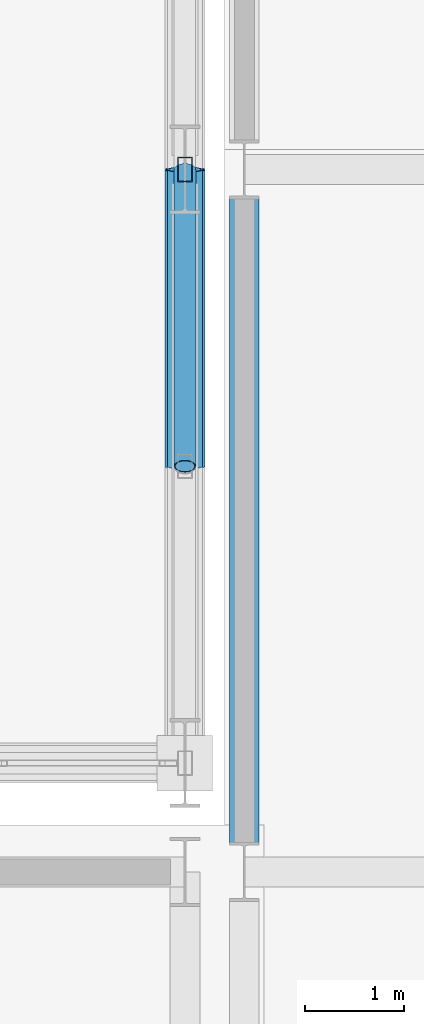
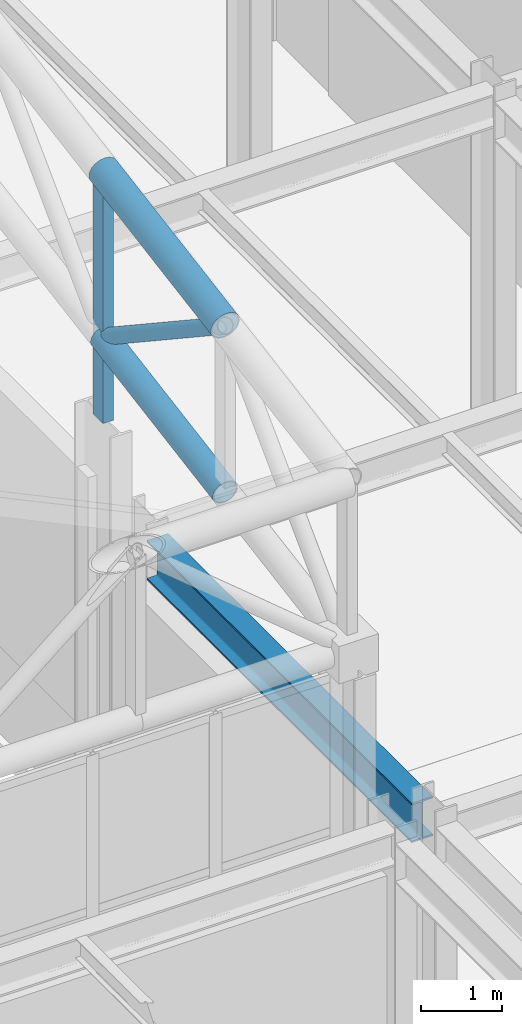
# One storey, part 72 of 239: 4 members, 1 beam.
"""IFC4 building model written with IfcOpenShell, lengths in metres."""

from ifc_helpers import new_model, si_unit, direction, frame, origin, origin_2d, place, context, subcontext, project, spatial, hollow_rectangle, hollow_circle, i_section, extrude, material, material_profile, profile_set, type_object, element, save


model = new_model("IFC4")

# Units and contexts
model_context = context("Model", 3, precision=1e-05, world=origin(), true_north=direction((0.0, 1.0)))
body_context = subcontext(model_context, "Body", "Model", "MODEL_VIEW")
ifc_project = project(units=[si_unit("LENGTHUNIT", "METRE"), si_unit("AREAUNIT", "SQUARE_METRE"), si_unit("VOLUMEUNIT", "CUBIC_METRE"), si_unit("PLANEANGLEUNIT", "RADIAN"), si_unit("MASSUNIT", "GRAM", prefix="KILO")], contexts=[model_context])

# Site, building, storey
site_placement = place(None, origin())
site = spatial("IfcSite", under=ifc_project, at=site_placement, CompositionType="ELEMENT")
building_placement = place(site_placement, origin())
building = spatial("IfcBuilding", under=site, at=building_placement, Name="Kaldris Quays Convention Centre", CompositionType="ELEMENT")
storey_placement = place(building_placement, frame((0.0, 0.0, 11.39990234375)))
storey = spatial("IfcBuildingStorey", under=building, at=storey_placement, Name="L02", CompositionType="ELEMENT", Elevation=11.39990234375)

# Beam
ifc_material_1 = material(Name="Steel S355J2", Category="steel")
ifc_material_profile_1 = material_profile(ifc_material_1, i_section(OverallWidth=0.300048828125, OverallDepth=0.590087890625, WebThickness=0.012939453125, FlangeThickness=0.02490234375, FilletRadius=0.027099609375, at=origin_2d()), Name="HEA 600")
ifc_profile_set_1 = profile_set([ifc_material_profile_1], Name="Steel S355J2")
beam_type = type_object("IfcBeamType", Name="STRUCTURAL BEAM BM08", PredefinedType="BEAM", material=ifc_profile_set_1)
beam_placement = place(storey_placement, frame((146.60009765625, 55.194091796875, 4.8681640625), z_axis=(0.0, 1.0, 0.0), x_axis=(-1.0, 0.0, 0.0)))
element("IfcBeam", 1, at=beam_placement, inside=storey, type_object=beam_type, Name="L02 Girder BM08 68", PredefinedType="BEAM", context=body_context, shape_type="SweptSolid", body=[
    extrude(i_section(OverallWidth=0.300048828125, OverallDepth=0.590087890625, WebThickness=0.012939453125, FlangeThickness=0.02490234375, FilletRadius=0.027099609375, at=origin_2d()), origin(), (0.0, 0.0, 1.0), 6.511962890625),
])

# Members
ifc_material_2 = material(Name="Steel S355J2H", Category="steel")
ifc_material_profile_2 = material_profile(ifc_material_2, hollow_circle(Radius=0.203125, WallThickness=0.01611328125, at=origin_2d()), Name="CHS 406.4x16")
ifc_profile_set_2 = profile_set([ifc_material_profile_2], Name="Steel S355J2H")
member_type_1 = type_object("IfcMemberType", Name="STRUCTURAL MEMBER SC01", PredefinedType="CHORD", material=ifc_profile_set_2)
member_1_placement = place(storey_placement, frame((146.0, 59.0, 10.186279296875), z_axis=(0.0, 0.98562912375, 0.168923741424), x_axis=(-1.0, 0.0, 0.0)))
element("IfcMember", 2, at=member_1_placement, inside=storey, type_object=member_type_1, Name="SF-V1 Top Chord Y 534", PredefinedType="CHORD", context=body_context, shape_type="SweptSolid", body=[
    extrude(hollow_circle(Radius=0.203125, WallThickness=0.01611328125, at=origin_2d()), origin(), (0.0, 0.0, 1.0), 3.043701171875),
])
ifc_material_profile_3 = material_profile(ifc_material_2, hollow_circle(Radius=0.177734375, WallThickness=0.01611328125, at=origin_2d()), Name="CHS 355.6x16")
ifc_profile_set_3 = profile_set([ifc_material_profile_3], Name="Steel S355J2H")
member_type_2 = type_object("IfcMemberType", Name="STRUCTURAL MEMBER SC02", PredefinedType="CHORD", material=ifc_profile_set_3)
member_2_placement = place(storey_placement, frame((146.0, 59.0, 7.686279296875), z_axis=(0.0, 0.98562912375, 0.168923741424), x_axis=(-1.0, 0.0, 0.0)))
element("IfcMember", 3, at=member_2_placement, inside=storey, type_object=member_type_2, Name="SF-V1 Bottom Chord Y 534", PredefinedType="CHORD", context=body_context, shape_type="SweptSolid", body=[
    extrude(hollow_circle(Radius=0.177734375, WallThickness=0.01611328125, at=origin_2d()), origin(), (0.0, 0.0, 1.0), 3.043701171875),
])
ifc_material_profile_4 = material_profile(ifc_material_2, hollow_circle(Radius=0.109619140625, WallThickness=0.010009765625, at=origin_2d()), Name="CHS 219.1x10")
ifc_profile_set_4 = profile_set([ifc_material_profile_4], Name="Steel S355J2H")
member_type_3 = type_object("IfcMemberType", Name="STRUCTURAL MEMBER SWB1", PredefinedType="BRACE", material=ifc_profile_set_4)
member_3_placement = place(storey_placement, frame((146.0, 62.0, 8.200439453125), z_axis=(0.0, -0.833862389808, 0.551972385962), x_axis=(1.0, 0.0, 0.0)))
element("IfcMember", 4, at=member_3_placement, inside=storey, type_object=member_type_3, Name="SF-V1 Web Diagonal Y 534", PredefinedType="BRACE", context=body_context, shape_type="SweptSolid", body=[
    extrude(hollow_circle(Radius=0.109619140625, WallThickness=0.010009765625, at=origin_2d()), origin(), (0.0, 0.0, 1.0), 3.59765625),
])
ifc_material_profile_5 = material_profile(ifc_material_2, hollow_rectangle(XDim=0.14990234375, YDim=0.25, WallThickness=0.010009765625, at=origin_2d()), Name="RHS 250x150x10")
ifc_profile_set_5 = profile_set([ifc_material_profile_5], Name="Steel S355J2H")
member_type_4 = type_object("IfcMemberType", Name="STRUCTURAL MEMBER TTV1", PredefinedType="POST", material=ifc_profile_set_5)
member_4_placement = place(storey_placement, frame((146.0, 62.0, 6.994140625), z_axis=(0.0, 0.0, 1.0), x_axis=(1.0, 0.0, 0.0)))
element("IfcMember", 5, at=member_4_placement, inside=storey, type_object=member_type_4, Name="SF-V1 Space-Frame Post 486", PredefinedType="POST", context=body_context, shape_type="SweptSolid", body=[
    extrude(hollow_rectangle(XDim=0.14990234375, YDim=0.25, WallThickness=0.010009765625, at=origin_2d()), origin(), (0.0, 0.0, 1.0), 3.706298828125),
])

save(model, "model.ifc")
